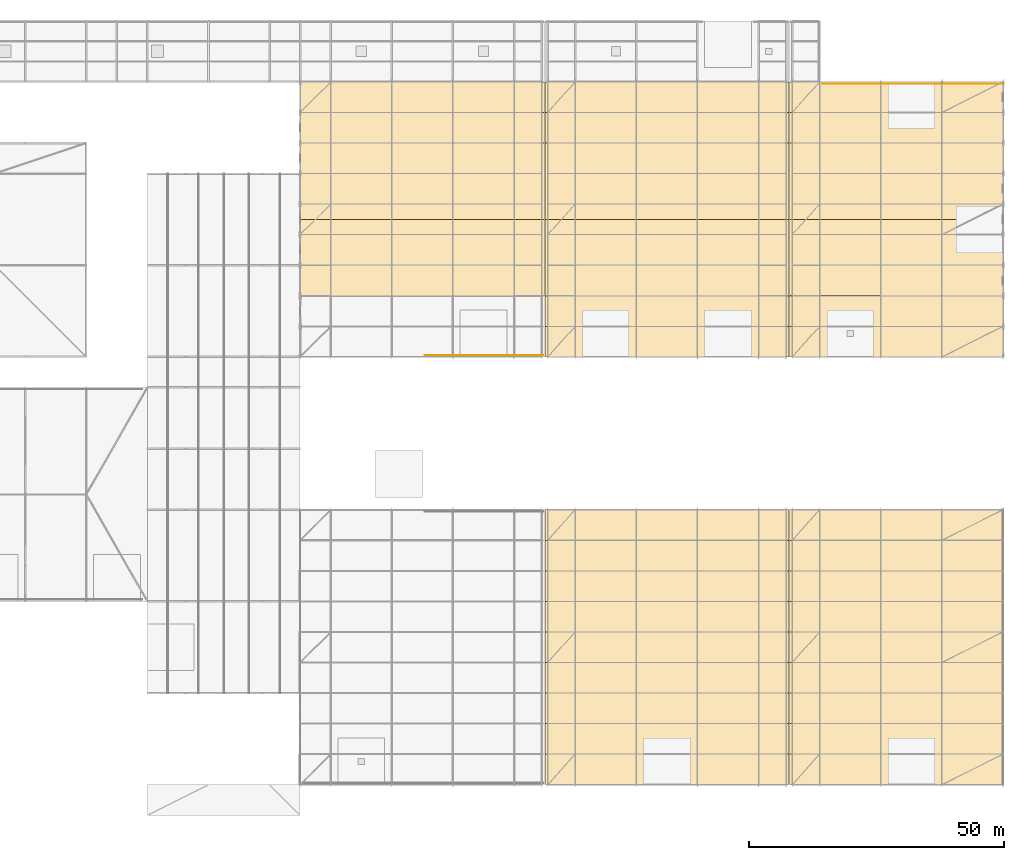
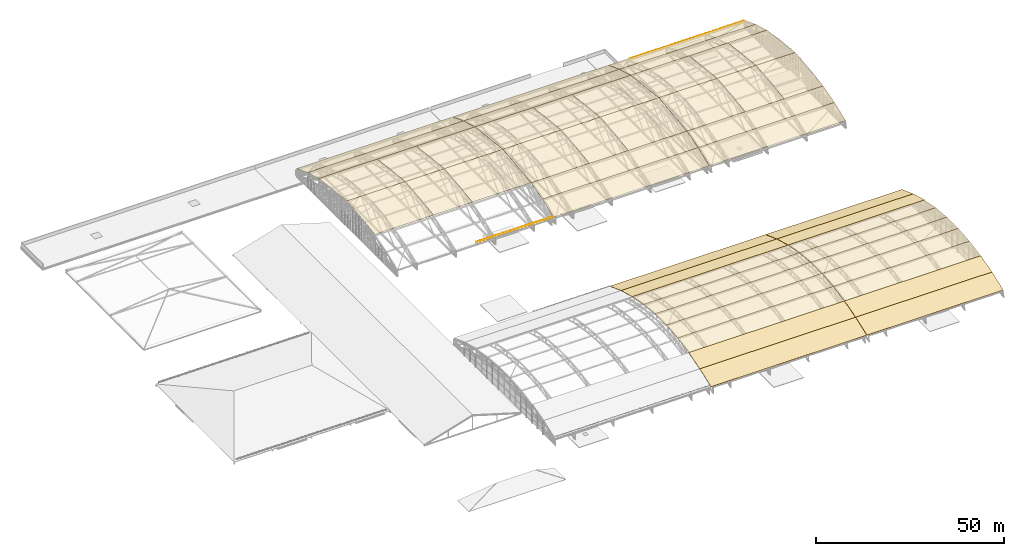
# One storey, part 204 of 204: 46 coverings, 2 railings.
"""IFC4 building model written with IfcOpenShell, lengths in metres."""

from ifc_helpers import new_model, si_unit, direction, frame, origin, origin_2d, place, context, subcontext, project, spatial, polyline, circle, outline, extrude, material, layer, layer_set, type_object, element, save


model = new_model("IFC4")

# Units and contexts
model_context = context("Model", 3, precision=1e-05, world=origin(), true_north=direction((0.0, 1.0)))
body_context = subcontext(model_context, "Body", "Model", "MODEL_VIEW")
ifc_project = project(units=[si_unit("LENGTHUNIT", "METRE"), si_unit("AREAUNIT", "SQUARE_METRE"), si_unit("VOLUMEUNIT", "CUBIC_METRE"), si_unit("PLANEANGLEUNIT", "RADIAN"), si_unit("MASSUNIT", "GRAM", prefix="KILO")], contexts=[model_context])

# Site, building, storey
site_placement = place(None, origin())
site = spatial("IfcSite", under=ifc_project, at=site_placement, CompositionType="ELEMENT")
building_placement = place(site_placement, origin())
building = spatial("IfcBuilding", under=site, at=building_placement, Name="Zilviju Railside Exhibition Hall", CompositionType="ELEMENT")
storey_placement = place(building_placement, frame((0.0, 0.0, 21.0)))
storey = spatial("IfcBuildingStorey", under=building, at=storey_placement, Name="RF", CompositionType="ELEMENT", Elevation=21.0)

# Coverings
ifc_material_1 = material(Name="Standing-seam patinated zinc-copper roofing", Category="steel")
ifc_layer = layer(ifc_material_1, 0.0400390625)
ifc_layer_set = layer_set([ifc_layer], Name="Standing-seam patinated zinc-copper roofing")
covering_type = type_object("IfcCoveringType", Name="COV-ROOF-ZINC", PredefinedType="ROOFING", material=ifc_layer_set)
covering_1_placement = place(storey_placement, frame((126.030029296875, 0.0, -5.635009765625), z_axis=(0.0, -0.345963648468, 0.938247917098), x_axis=(1.0, 0.0, 0.0)))
element("IfcCovering", 1, at=covering_1_placement, inside=storey, type_object=covering_type, Name="V1 Standing-Seam Roofing Facet B2.1", PredefinedType="ROOFING", context=body_context, shape_type="SweptSolid", body=[
    extrude(outline(polyline([(0.0, 0.0), (47.93994140625, 0.0), (47.93994140625, 6.394898289310824), (0.0, 6.394898289310824), (0.0, 0.0)])), origin(), (0.0, 0.0, -1.0), 0.0400390625),
])
covering_2_placement = place(storey_placement, frame((126.030029296875, 6.0, -3.422607421875), z_axis=(0.0, -0.266527144223, 0.963827412659), x_axis=(1.0, 0.0, 0.0)))
element("IfcCovering", 2, at=covering_2_placement, inside=storey, type_object=covering_type, Name="V1 Standing-Seam Roofing Facet B2.2", PredefinedType="ROOFING", context=body_context, shape_type="SweptSolid", body=[
    extrude(outline(polyline([(0.0, 0.0), (47.93994140625, 0.0), (47.93994140625, 6.225180899814285), (0.0, 6.225180899814285), (0.0, 0.0)])), origin(), (0.0, 0.0, -1.0), 0.0400390625),
])
covering_3_placement = place(storey_placement, frame((126.030029296875, 12.0, -1.763427734375), z_axis=(0.0, -0.18131112606, 0.98342578549), x_axis=(1.0, 0.0, 0.0)))
element("IfcCovering", 3, at=covering_3_placement, inside=storey, type_object=covering_type, Name="V1 Standing-Seam Roofing Facet B2.3", PredefinedType="ROOFING", context=body_context, shape_type="SweptSolid", body=[
    extrude(outline(polyline([(0.0, 0.0), (47.93994140625, 0.0), (47.93994140625, 6.101121293062254), (0.0, 6.101121293062254), (0.0, 0.0)])), origin(), (0.0, 0.0, -1.0), 0.0400390625),
])
covering_4_placement = place(storey_placement, frame((126.030029296875, 18.0, -0.6572265625), z_axis=(0.0, -0.091774143746, 0.99577984843), x_axis=(1.0, 0.0, 0.0)))
element("IfcCovering", 4, at=covering_4_placement, inside=storey, type_object=covering_type, Name="V1 Standing-Seam Roofing Facet B2.4", PredefinedType="ROOFING", context=body_context, shape_type="SweptSolid", body=[
    extrude(outline(polyline([(0.0, 0.0), (47.93994140625, 0.0), (47.93994140625, 6.025428220362669), (0.0, 6.025428220362669), (0.0, 0.0)])), origin(), (0.0, 0.0, -1.0), 0.0400390625),
])
covering_5_placement = place(storey_placement, frame((126.030029296875, 24.0, -0.104248046875), z_axis=(0.0, 0.0, 1.0), x_axis=(1.0, 0.0, 0.0)))
element("IfcCovering", 5, at=covering_5_placement, inside=storey, type_object=covering_type, Name="V1 Standing-Seam Roofing Facet B2.5", PredefinedType="ROOFING", context=body_context, shape_type="SweptSolid", body=[
    extrude(outline(polyline([(0.0, 0.0), (47.93994140625, 0.0), (47.93994140625, 6.0), (0.0, 6.0), (0.0, 0.0)])), origin(), (0.0, 0.0, -1.0), 0.0400390625),
])
covering_6_placement = place(storey_placement, frame((126.030029296875, 30.0, -0.104248046875), z_axis=(0.0, 0.091774143746, 0.99577984843), x_axis=(1.0, 0.0, 0.0)))
element("IfcCovering", 6, at=covering_6_placement, inside=storey, type_object=covering_type, Name="V1 Standing-Seam Roofing Facet B2.6", PredefinedType="ROOFING", context=body_context, shape_type="SweptSolid", body=[
    extrude(outline(polyline([(0.0, 0.0), (47.93994140625, 0.0), (47.93994140625, 6.025428220362669), (0.0, 6.025428220362669), (0.0, 0.0)])), origin(), (0.0, 0.0, -1.0), 0.0400390625),
])
covering_7_placement = place(storey_placement, frame((126.030029296875, 36.0, -0.6572265625), z_axis=(0.0, 0.18131112606, 0.98342578549), x_axis=(1.0, 0.0, 0.0)))
element("IfcCovering", 7, at=covering_7_placement, inside=storey, type_object=covering_type, Name="V1 Standing-Seam Roofing Facet B2.7", PredefinedType="ROOFING", context=body_context, shape_type="SweptSolid", body=[
    extrude(outline(polyline([(0.0, 0.0), (47.93994140625, 0.0), (47.93994140625, 6.101121293062254), (0.0, 6.101121293062254), (0.0, 0.0)])), origin(), (0.0, 0.0, -1.0), 0.0400390625),
])
covering_8_placement = place(storey_placement, frame((126.030029296875, 42.0, -1.763427734375), z_axis=(0.0, 0.266527144223, 0.963827412659), x_axis=(1.0, 0.0, 0.0)))
element("IfcCovering", 8, at=covering_8_placement, inside=storey, type_object=covering_type, Name="V1 Standing-Seam Roofing Facet B2.8", PredefinedType="ROOFING", context=body_context, shape_type="SweptSolid", body=[
    extrude(outline(polyline([(0.0, 0.0), (47.93994140625, 0.0), (47.93994140625, 6.225180899814285), (0.0, 6.225180899814285), (0.0, 0.0)])), origin(), (0.0, 0.0, -1.0), 0.0400390625),
])
covering_9_placement = place(storey_placement, frame((126.030029296875, 48.0, -3.422607421875), z_axis=(0.0, 0.345963648468, 0.938247917098), x_axis=(1.0, 0.0, 0.0)))
element("IfcCovering", 9, at=covering_9_placement, inside=storey, type_object=covering_type, Name="V1 Standing-Seam Roofing Facet B2.9", PredefinedType="ROOFING", context=body_context, shape_type="SweptSolid", body=[
    extrude(outline(polyline([(0.0, 0.0), (47.93994140625, 0.0), (47.93994140625, 6.394898289310824), (0.0, 6.394898289310824), (0.0, 0.0)])), origin(), (0.0, 0.0, -1.0), 0.0400390625),
])
covering_10_placement = place(storey_placement, frame((174.030029296875, 0.0, -5.635009765625), z_axis=(0.0, -0.345963648468, 0.938247917098), x_axis=(1.0, 0.0, 0.0)))
element("IfcCovering", 10, at=covering_10_placement, inside=storey, type_object=covering_type, Name="V1 Standing-Seam Roofing Facet B3.1", PredefinedType="ROOFING", context=body_context, shape_type="SweptSolid", body=[
    extrude(outline(polyline([(0.0, 0.0), (41.969970703125, 0.0), (41.969970703125, 6.394898289310824), (0.0, 6.394898289310824), (0.0, 0.0)])), origin(), (0.0, 0.0, -1.0), 0.0400390625),
])
covering_11_placement = place(storey_placement, frame((174.030029296875, 6.0, -3.422607421875), z_axis=(0.0, -0.266527144223, 0.963827412659), x_axis=(1.0, 0.0, 0.0)))
element("IfcCovering", 11, at=covering_11_placement, inside=storey, type_object=covering_type, Name="V1 Standing-Seam Roofing Facet B3.2", PredefinedType="ROOFING", context=body_context, shape_type="SweptSolid", body=[
    extrude(outline(polyline([(0.0, 0.0), (41.969970703125, 0.0), (41.969970703125, 6.225180899814285), (0.0, 6.225180899814285), (0.0, 0.0)])), origin(), (0.0, 0.0, -1.0), 0.0400390625),
])
covering_12_placement = place(storey_placement, frame((174.030029296875, 12.0, -1.763427734375), z_axis=(0.0, -0.18131112606, 0.98342578549), x_axis=(1.0, 0.0, 0.0)))
element("IfcCovering", 12, at=covering_12_placement, inside=storey, type_object=covering_type, Name="V1 Standing-Seam Roofing Facet B3.3", PredefinedType="ROOFING", context=body_context, shape_type="SweptSolid", body=[
    extrude(outline(polyline([(0.0, 0.0), (41.969970703125, 0.0), (41.969970703125, 6.101121293062254), (0.0, 6.101121293062254), (0.0, 0.0)])), origin(), (0.0, 0.0, -1.0), 0.0400390625),
])
covering_13_placement = place(storey_placement, frame((174.030029296875, 18.0, -0.6572265625), z_axis=(0.0, -0.091774143746, 0.99577984843), x_axis=(1.0, 0.0, 0.0)))
element("IfcCovering", 13, at=covering_13_placement, inside=storey, type_object=covering_type, Name="V1 Standing-Seam Roofing Facet B3.4", PredefinedType="ROOFING", context=body_context, shape_type="SweptSolid", body=[
    extrude(outline(polyline([(0.0, 0.0), (41.969970703125, 0.0), (41.969970703125, 6.025428220362668), (0.0, 6.025428220362668), (0.0, 0.0)])), origin(), (0.0, 0.0, -1.0), 0.0400390625),
])
covering_14_placement = place(storey_placement, frame((174.030029296875, 24.0, -0.104248046875), z_axis=(0.0, 0.0, 1.0), x_axis=(1.0, 0.0, 0.0)))
element("IfcCovering", 14, at=covering_14_placement, inside=storey, type_object=covering_type, Name="V1 Standing-Seam Roofing Facet B3.5", PredefinedType="ROOFING", context=body_context, shape_type="SweptSolid", body=[
    extrude(outline(polyline([(0.0, 0.0), (41.969970703125, 0.0), (41.969970703125, 6.0), (0.0, 6.0), (0.0, 0.0)])), origin(), (0.0, 0.0, -1.0), 0.0400390625),
])
covering_15_placement = place(storey_placement, frame((174.030029296875, 30.0, -0.104248046875), z_axis=(0.0, 0.091774143746, 0.99577984843), x_axis=(1.0, 0.0, 0.0)))
element("IfcCovering", 15, at=covering_15_placement, inside=storey, type_object=covering_type, Name="V1 Standing-Seam Roofing Facet B3.6", PredefinedType="ROOFING", context=body_context, shape_type="SweptSolid", body=[
    extrude(outline(polyline([(0.0, 0.0), (41.969970703125, 0.0), (41.969970703125, 6.025428220362668), (0.0, 6.025428220362668), (0.0, 0.0)])), origin(), (0.0, 0.0, -1.0), 0.0400390625),
])
covering_16_placement = place(storey_placement, frame((174.030029296875, 36.0, -0.6572265625), z_axis=(0.0, 0.18131112606, 0.98342578549), x_axis=(1.0, 0.0, 0.0)))
element("IfcCovering", 16, at=covering_16_placement, inside=storey, type_object=covering_type, Name="V1 Standing-Seam Roofing Facet B3.7", PredefinedType="ROOFING", context=body_context, shape_type="SweptSolid", body=[
    extrude(outline(polyline([(0.0, 0.0), (41.969970703125, 0.0), (41.969970703125, 6.101121293062254), (0.0, 6.101121293062254), (0.0, 0.0)])), origin(), (0.0, 0.0, -1.0), 0.0400390625),
])
covering_17_placement = place(storey_placement, frame((174.030029296875, 42.0, -1.763427734375), z_axis=(0.0, 0.266527144223, 0.963827412659), x_axis=(1.0, 0.0, 0.0)))
element("IfcCovering", 17, at=covering_17_placement, inside=storey, type_object=covering_type, Name="V1 Standing-Seam Roofing Facet B3.8", PredefinedType="ROOFING", context=body_context, shape_type="SweptSolid", body=[
    extrude(outline(polyline([(0.0, 0.0), (41.969970703125, 0.0), (41.969970703125, 6.225180899814285), (0.0, 6.225180899814285), (0.0, 0.0)])), origin(), (0.0, 0.0, -1.0), 0.0400390625),
])
covering_18_placement = place(storey_placement, frame((174.030029296875, 48.0, -3.422607421875), z_axis=(0.0, 0.345963648468, 0.938247917098), x_axis=(1.0, 0.0, 0.0)))
element("IfcCovering", 18, at=covering_18_placement, inside=storey, type_object=covering_type, Name="V1 Standing-Seam Roofing Facet B3.9", PredefinedType="ROOFING", context=body_context, shape_type="SweptSolid", body=[
    extrude(outline(polyline([(0.0, 0.0), (41.969970703125, 0.0), (41.969970703125, 6.394898289310824), (0.0, 6.394898289310824), (0.0, 0.0)])), origin(), (0.0, 0.0, -1.0), 0.0400390625),
])
covering_19_placement = place(storey_placement, frame((78.0, 96.0, 2.5849609375), z_axis=(0.0, -0.118495171491, 0.992954628537), x_axis=(1.0, 0.0, 0.0)))
element("IfcCovering", 19, at=covering_19_placement, inside=storey, type_object=covering_type, Name="V2 Standing-Seam Roofing Facet B1.3", PredefinedType="ROOFING", context=body_context, shape_type="SweptSolid", body=[
    extrude(outline(polyline([(0.0, 0.0), (18.0, 0.0), (18.0, 15.106430413743542), (0.0, 15.106430413743542), (0.0, 0.0)])), origin(), (0.0, 0.0, -1.0), 0.0400390625),
])
covering_20_placement = place(storey_placement, frame((96.0, 96.0, 2.5849609375), z_axis=(0.0, -0.118495171491, 0.992954628537), x_axis=(1.0, 0.0, 0.0)))
element("IfcCovering", 20, at=covering_20_placement, inside=storey, type_object=covering_type, Name="V2 Standing-Seam Roofing Facet B1.4", PredefinedType="ROOFING", context=body_context, shape_type="SweptSolid", body=[
    extrude(outline(polyline([(0.0, 0.0), (12.0, 0.0), (12.0, 15.106430413743542), (0.0, 15.106430413743542), (0.0, 0.0)])), origin(), (0.0, 0.0, -1.0), 0.0400390625),
])
covering_21_placement = place(storey_placement, frame((108.0, 96.0, 2.5849609375), z_axis=(0.0, -0.118495171491, 0.992954628537), x_axis=(1.0, 0.0, 0.0)))
element("IfcCovering", 21, at=covering_21_placement, inside=storey, type_object=covering_type, Name="V2 Standing-Seam Roofing Facet B1.5", PredefinedType="ROOFING", context=body_context, shape_type="SweptSolid", body=[
    extrude(outline(polyline([(0.0, 0.0), (17.969970703125, 0.0), (17.969970703125, 15.10643041374354), (0.0, 15.10643041374354), (0.0, 0.0)])), origin(), (0.0, 0.0, -1.0), 0.0400390625),
])
covering_22_placement = place(storey_placement, frame((78.0, 111.0, 4.375), z_axis=(0.0, 0.118495171491, 0.992954628537), x_axis=(1.0, 0.0, 0.0)))
element("IfcCovering", 22, at=covering_22_placement, inside=storey, type_object=covering_type, Name="V2 Standing-Seam Roofing Facet B1.6", PredefinedType="ROOFING", context=body_context, shape_type="SweptSolid", body=[
    extrude(outline(polyline([(0.0, 0.0), (18.0, 0.0), (18.0, 15.106430413743542), (0.0, 15.106430413743542), (0.0, 0.0)])), origin(), (0.0, 0.0, -1.0), 0.0400390625),
])
covering_23_placement = place(storey_placement, frame((96.0, 111.0, 4.375), z_axis=(0.0, 0.118495171491, 0.992954628537), x_axis=(1.0, 0.0, 0.0)))
element("IfcCovering", 23, at=covering_23_placement, inside=storey, type_object=covering_type, Name="V2 Standing-Seam Roofing Facet B1.7", PredefinedType="ROOFING", context=body_context, shape_type="SweptSolid", body=[
    extrude(outline(polyline([(0.0, 0.0), (12.0, 0.0), (12.0, 15.106430413743542), (0.0, 15.106430413743542), (0.0, 0.0)])), origin(), (0.0, 0.0, -1.0), 0.0400390625),
])
covering_24_placement = place(storey_placement, frame((108.0, 111.0, 4.375), z_axis=(0.0, 0.118495171491, 0.992954628537), x_axis=(1.0, 0.0, 0.0)))
element("IfcCovering", 24, at=covering_24_placement, inside=storey, type_object=covering_type, Name="V2 Standing-Seam Roofing Facet B1.8", PredefinedType="ROOFING", context=body_context, shape_type="SweptSolid", body=[
    extrude(outline(polyline([(0.0, 0.0), (17.969970703125, 0.0), (17.969970703125, 15.10643041374354), (0.0, 15.10643041374354), (0.0, 0.0)])), origin(), (0.0, 0.0, -1.0), 0.0400390625),
])
covering_25_placement = place(storey_placement, frame((78.0, 126.0, 2.5849609375), z_axis=(0.0, 0.275346207512, 0.961345133658), x_axis=(1.0, 0.0, 0.0)))
element("IfcCovering", 25, at=covering_25_placement, inside=storey, type_object=covering_type, Name="V2 Standing-Seam Roofing Facet B1.9", PredefinedType="ROOFING", context=body_context, shape_type="SweptSolid", body=[
    extrude(outline(polyline([(0.0, 0.0), (47.969970703125, 0.0), (47.969970703125, 6.241254872916681), (0.0, 6.241254872916681), (0.0, 0.0)])), origin(), (0.0, 0.0, -1.0), 0.0400390625),
])
covering_26_placement = place(storey_placement, frame((78.0, 132.0, 0.866455078125), z_axis=(0.0, 0.35678239229, 0.934187521086), x_axis=(1.0, 0.0, 0.0)))
element("IfcCovering", 26, at=covering_26_placement, inside=storey, type_object=covering_type, Name="V2 Standing-Seam Roofing Facet B1.10", PredefinedType="ROOFING", context=body_context, shape_type="SweptSolid", body=[
    extrude(outline(polyline([(0.0, 0.0), (47.969970703125, 0.0), (47.969970703125, 6.422693372126603), (0.0, 6.422693372126603), (0.0, 0.0)])), origin(), (0.0, 0.0, -1.0), 0.0400390625),
])
covering_27_placement = place(storey_placement, frame((126.030029296875, 84.0, -1.425048828125), z_axis=(0.0, -0.35678239229, 0.934187521086), x_axis=(1.0, 0.0, 0.0)))
element("IfcCovering", 27, at=covering_27_placement, inside=storey, type_object=covering_type, Name="V2 Standing-Seam Roofing Facet B2.1", PredefinedType="ROOFING", context=body_context, shape_type="SweptSolid", body=[
    extrude(outline(polyline([(0.0, 0.0), (47.93994140625, 0.0), (47.93994140625, 6.422693372126604), (0.0, 6.422693372126604), (0.0, 0.0)])), origin(), (0.0, 0.0, -1.0), 0.0400390625),
])
covering_28_placement = place(storey_placement, frame((126.030029296875, 90.0, 0.866455078125), z_axis=(0.0, -0.275346207512, 0.961345133658), x_axis=(1.0, 0.0, 0.0)))
element("IfcCovering", 28, at=covering_28_placement, inside=storey, type_object=covering_type, Name="V2 Standing-Seam Roofing Facet B2.2", PredefinedType="ROOFING", context=body_context, shape_type="SweptSolid", body=[
    extrude(outline(polyline([(0.0, 0.0), (47.93994140625, 0.0), (47.93994140625, 6.241254872916681), (0.0, 6.241254872916681), (0.0, 0.0)])), origin(), (0.0, 0.0, -1.0), 0.0400390625),
])
covering_29_placement = place(storey_placement, frame((126.030029296875, 96.0, 2.5849609375), z_axis=(0.0, -0.118495171491, 0.992954628537), x_axis=(1.0, 0.0, 0.0)))
element("IfcCovering", 29, at=covering_29_placement, inside=storey, type_object=covering_type, Name="V2 Standing-Seam Roofing Facet B2.3", PredefinedType="ROOFING", context=body_context, shape_type="SweptSolid", body=[
    extrude(outline(polyline([(0.0, 0.0), (17.969970703125, 0.0), (17.969970703125, 15.10643041374354), (0.0, 15.10643041374354), (0.0, 0.0)])), origin(), (0.0, 0.0, -1.0), 0.0400390625),
])
covering_30_placement = place(storey_placement, frame((144.0, 96.0, 2.5849609375), z_axis=(0.0, -0.118495171491, 0.992954628537), x_axis=(1.0, 0.0, 0.0)))
element("IfcCovering", 30, at=covering_30_placement, inside=storey, type_object=covering_type, Name="V2 Standing-Seam Roofing Facet B2.4", PredefinedType="ROOFING", context=body_context, shape_type="SweptSolid", body=[
    extrude(outline(polyline([(0.0, 0.0), (12.0, 0.0), (12.0, 15.106430413743542), (0.0, 15.106430413743542), (0.0, 0.0)])), origin(), (0.0, 0.0, -1.0), 0.0400390625),
])
for number, where, z_axis, x_axis, name in (
    (31, (156.0, 96.0, 2.5849609375), (0.0, -0.118495171491, 0.992954628537), (1.0, 0.0, 0.0), "V2 Standing-Seam Roofing Facet B2.5"),
    (32, (126.030029296875, 111.0, 4.375), (0.0, 0.118495171491, 0.992954628537), (1.0, 0.0, 0.0), "V2 Standing-Seam Roofing Facet B2.6"),
):
    element("IfcCovering", number, at=place(storey_placement, frame(where, z_axis=z_axis, x_axis=x_axis)), inside=storey, type_object=covering_type, Name=name, PredefinedType="ROOFING", context=body_context, shape_type="SweptSolid", body=[
        extrude(outline(polyline([(0.0, 0.0), (17.969970703125, 0.0), (17.969970703125, 15.10643041374354), (0.0, 15.10643041374354), (0.0, 0.0)])), origin(), (0.0, 0.0, -1.0), 0.0400390625),
    ])
covering_31_placement = place(storey_placement, frame((144.0, 111.0, 4.375), z_axis=(0.0, 0.118495171491, 0.992954628537), x_axis=(1.0, 0.0, 0.0)))
element("IfcCovering", 33, at=covering_31_placement, inside=storey, type_object=covering_type, Name="V2 Standing-Seam Roofing Facet B2.7", PredefinedType="ROOFING", context=body_context, shape_type="SweptSolid", body=[
    extrude(outline(polyline([(0.0, 0.0), (12.0, 0.0), (12.0, 15.106430413743542), (0.0, 15.106430413743542), (0.0, 0.0)])), origin(), (0.0, 0.0, -1.0), 0.0400390625),
])
covering_32_placement = place(storey_placement, frame((156.0, 111.0, 4.375), z_axis=(0.0, 0.118495171491, 0.992954628537), x_axis=(1.0, 0.0, 0.0)))
element("IfcCovering", 34, at=covering_32_placement, inside=storey, type_object=covering_type, Name="V2 Standing-Seam Roofing Facet B2.8", PredefinedType="ROOFING", context=body_context, shape_type="SweptSolid", body=[
    extrude(outline(polyline([(0.0, 0.0), (17.969970703125, 0.0), (17.969970703125, 15.10643041374354), (0.0, 15.10643041374354), (0.0, 0.0)])), origin(), (0.0, 0.0, -1.0), 0.0400390625),
])
covering_33_placement = place(storey_placement, frame((126.030029296875, 126.0, 2.5849609375), z_axis=(0.0, 0.275346207512, 0.961345133658), x_axis=(1.0, 0.0, 0.0)))
element("IfcCovering", 35, at=covering_33_placement, inside=storey, type_object=covering_type, Name="V2 Standing-Seam Roofing Facet B2.9", PredefinedType="ROOFING", context=body_context, shape_type="SweptSolid", body=[
    extrude(outline(polyline([(0.0, 0.0), (47.93994140625, 0.0), (47.93994140625, 6.241254872916681), (0.0, 6.241254872916681), (0.0, 0.0)])), origin(), (0.0, 0.0, -1.0), 0.0400390625),
])
covering_34_placement = place(storey_placement, frame((126.030029296875, 132.0, 0.866455078125), z_axis=(0.0, 0.35678239229, 0.934187521086), x_axis=(1.0, 0.0, 0.0)))
element("IfcCovering", 36, at=covering_34_placement, inside=storey, type_object=covering_type, Name="V2 Standing-Seam Roofing Facet B2.10", PredefinedType="ROOFING", context=body_context, shape_type="SweptSolid", body=[
    extrude(outline(polyline([(0.0, 0.0), (47.93994140625, 0.0), (47.93994140625, 6.422693372126604), (0.0, 6.422693372126604), (0.0, 0.0)])), origin(), (0.0, 0.0, -1.0), 0.0400390625),
])
covering_35_placement = place(storey_placement, frame((174.030029296875, 84.0, -1.425048828125), z_axis=(0.0, -0.35678239229, 0.934187521086), x_axis=(1.0, 0.0, 0.0)))
element("IfcCovering", 37, at=covering_35_placement, inside=storey, type_object=covering_type, Name="V2 Standing-Seam Roofing Facet B3.1", PredefinedType="ROOFING", context=body_context, shape_type="SweptSolid", body=[
    extrude(outline(polyline([(0.0, 0.0), (41.969970703125, 0.0), (41.969970703125, 6.422693372126604), (0.0, 6.422693372126604), (0.0, 0.0)])), origin(), (0.0, 0.0, -1.0), 0.0400390625),
])
covering_36_placement = place(storey_placement, frame((174.030029296875, 90.0, 0.866455078125), z_axis=(0.0, -0.275346207512, 0.961345133658), x_axis=(1.0, 0.0, 0.0)))
element("IfcCovering", 38, at=covering_36_placement, inside=storey, type_object=covering_type, Name="V2 Standing-Seam Roofing Facet B3.2", PredefinedType="ROOFING", context=body_context, shape_type="SweptSolid", body=[
    extrude(outline(polyline([(0.0, 0.0), (41.969970703125, 0.0), (41.969970703125, 6.241254872916681), (0.0, 6.241254872916681), (0.0, 0.0)])), origin(), (0.0, 0.0, -1.0), 0.0400390625),
])
covering_37_placement = place(storey_placement, frame((174.030029296875, 96.0, 2.5849609375), z_axis=(0.0, -0.118495171491, 0.992954628537), x_axis=(1.0, 0.0, 0.0)))
element("IfcCovering", 39, at=covering_37_placement, inside=storey, type_object=covering_type, Name="V2 Standing-Seam Roofing Facet B3.3", PredefinedType="ROOFING", context=body_context, shape_type="SweptSolid", body=[
    extrude(outline(polyline([(0.0, 0.0), (17.969970703125, 0.0), (17.969970703125, 15.10643041374354), (0.0, 15.10643041374354), (0.0, 0.0)])), origin(), (0.0, 0.0, -1.0), 0.0400390625),
])
for number, where, z_axis, x_axis, name in (
    (40, (192.0, 96.0, 2.5849609375), (0.0, -0.118495171491, 0.992954628537), (1.0, 0.0, 0.0), "V2 Standing-Seam Roofing Facet B3.4"),
    (41, (204.0, 96.0, 2.5849609375), (0.0, -0.118495171491, 0.992954628537), (1.0, 0.0, 0.0), "V2 Standing-Seam Roofing Facet B3.5"),
):
    element("IfcCovering", number, at=place(storey_placement, frame(where, z_axis=z_axis, x_axis=x_axis)), inside=storey, type_object=covering_type, Name=name, PredefinedType="ROOFING", context=body_context, shape_type="SweptSolid", body=[
        extrude(outline(polyline([(0.0, 0.0), (12.0, 0.0), (12.0, 15.106430413743542), (0.0, 15.106430413743542), (0.0, 0.0)])), origin(), (0.0, 0.0, -1.0), 0.0400390625),
    ])
covering_38_placement = place(storey_placement, frame((174.030029296875, 111.0, 4.375), z_axis=(0.0, 0.118495171491, 0.992954628537), x_axis=(1.0, 0.0, 0.0)))
element("IfcCovering", 42, at=covering_38_placement, inside=storey, type_object=covering_type, Name="V2 Standing-Seam Roofing Facet B3.6", PredefinedType="ROOFING", context=body_context, shape_type="SweptSolid", body=[
    extrude(outline(polyline([(0.0, 0.0), (17.969970703125, 0.0), (17.969970703125, 15.10643041374354), (0.0, 15.10643041374354), (0.0, 0.0)])), origin(), (0.0, 0.0, -1.0), 0.0400390625),
])
for number, where, z_axis, x_axis, name in (
    (43, (192.0, 111.0, 4.375), (0.0, 0.118495171491, 0.992954628537), (1.0, 0.0, 0.0), "V2 Standing-Seam Roofing Facet B3.7"),
    (44, (204.0, 111.0, 4.375), (0.0, 0.118495171491, 0.992954628537), (1.0, 0.0, 0.0), "V2 Standing-Seam Roofing Facet B3.8"),
):
    element("IfcCovering", number, at=place(storey_placement, frame(where, z_axis=z_axis, x_axis=x_axis)), inside=storey, type_object=covering_type, Name=name, PredefinedType="ROOFING", context=body_context, shape_type="SweptSolid", body=[
        extrude(outline(polyline([(0.0, 0.0), (12.0, 0.0), (12.0, 15.106430413743542), (0.0, 15.106430413743542), (0.0, 0.0)])), origin(), (0.0, 0.0, -1.0), 0.0400390625),
    ])
covering_39_placement = place(storey_placement, frame((174.030029296875, 126.0, 2.5849609375), z_axis=(0.0, 0.275346207512, 0.961345133658), x_axis=(1.0, 0.0, 0.0)))
element("IfcCovering", 45, at=covering_39_placement, inside=storey, type_object=covering_type, Name="V2 Standing-Seam Roofing Facet B3.9", PredefinedType="ROOFING", context=body_context, shape_type="SweptSolid", body=[
    extrude(outline(polyline([(0.0, 0.0), (41.969970703125, 0.0), (41.969970703125, 6.241254872916681), (0.0, 6.241254872916681), (0.0, 0.0)])), origin(), (0.0, 0.0, -1.0), 0.0400390625),
])
covering_40_placement = place(storey_placement, frame((174.030029296875, 132.0, 0.866455078125), z_axis=(0.0, 0.35678239229, 0.934187521086), x_axis=(1.0, 0.0, 0.0)))
element("IfcCovering", 46, at=covering_40_placement, inside=storey, type_object=covering_type, Name="V2 Standing-Seam Roofing Facet B3.10", PredefinedType="ROOFING", context=body_context, shape_type="SweptSolid", body=[
    extrude(outline(polyline([(0.0, 0.0), (41.969970703125, 0.0), (41.969970703125, 6.422693372126604), (0.0, 6.422693372126604), (0.0, 0.0)])), origin(), (0.0, 0.0, -1.0), 0.0400390625),
])

# Railings
ifc_material_2 = material(Name="Galvanized steel twin-tube roof snow-retention guard", Category="steel")
railing_type = type_object("IfcRailingType", Name="RL-SNOW-350", PredefinedType="GUARDRAIL", material=ifc_material_2)
railing_1_placement = place(storey_placement, frame((102.5, 84.35009765625, -1.699951171875)))
element("IfcRailing", 47, at=railing_1_placement, inside=storey, type_object=railing_type, Name="Roof Eave Snow-Retention Guard SN-V2-S", PredefinedType="GUARDRAIL", context=body_context, shape_type="SweptSolid", body=[
    extrude(circle(Radius=0.02392578125, at=origin_2d()), frame((0.021728515625, 0.0, 0.326171875), z_axis=(1.0, 0.0, 0.0), x_axis=(0.0, 1.0, 0.0)), (0.0, 0.0, 1.0), 23.25634765625),
    extrude(circle(Radius=0.02099609375, at=origin_2d()), origin(), (0.0, 0.0, 1.0), 0.35009765625),
    extrude(circle(Radius=0.02099609375, at=origin_2d()), frame((1.1650390625, 0.0, 0.0)), (0.0, 0.0, 1.0), 0.35009765625),
    extrude(circle(Radius=0.02099609375, at=origin_2d()), frame((2.330078125, 0.0, 0.0)), (0.0, 0.0, 1.0), 0.35009765625),
    extrude(circle(Radius=0.02099609375, at=origin_2d()), frame((3.4951171875, 0.0, 0.0)), (0.0, 0.0, 1.0), 0.35009765625),
    extrude(circle(Radius=0.02099609375, at=origin_2d()), frame((4.659912109375, 0.0, 0.0)), (0.0, 0.0, 1.0), 0.35009765625),
    extrude(circle(Radius=0.02099609375, at=origin_2d()), frame((5.824951171875, 0.0, 0.0)), (0.0, 0.0, 1.0), 0.35009765625),
    extrude(circle(Radius=0.02099609375, at=origin_2d()), frame((6.989990234375, 0.0, 0.0)), (0.0, 0.0, 1.0), 0.35009765625),
    extrude(circle(Radius=0.02099609375, at=origin_2d()), frame((8.155029296875, 0.0, 0.0)), (0.0, 0.0, 1.0), 0.35009765625),
    extrude(circle(Radius=0.02099609375, at=origin_2d()), frame((9.320068359375, 0.0, 0.0)), (0.0, 0.0, 1.0), 0.35009765625),
    extrude(circle(Radius=0.02099609375, at=origin_2d()), frame((10.485107421875, 0.0, 0.0)), (0.0, 0.0, 1.0), 0.35009765625),
    extrude(circle(Radius=0.02099609375, at=origin_2d()), frame((11.64990234375, 0.0, 0.0)), (0.0, 0.0, 1.0), 0.35009765625),
    extrude(circle(Radius=0.02099609375, at=origin_2d()), frame((12.81494140625, 0.0, 0.0)), (0.0, 0.0, 1.0), 0.35009765625),
    extrude(circle(Radius=0.02099609375, at=origin_2d()), frame((13.97998046875, 0.0, 0.0)), (0.0, 0.0, 1.0), 0.35009765625),
    extrude(circle(Radius=0.02099609375, at=origin_2d()), frame((15.14501953125, 0.0, 0.0)), (0.0, 0.0, 1.0), 0.35009765625),
    extrude(circle(Radius=0.02099609375, at=origin_2d()), frame((16.31005859375, 0.0, 0.0)), (0.0, 0.0, 1.0), 0.35009765625),
    extrude(circle(Radius=0.02099609375, at=origin_2d()), frame((17.47509765625, 0.0, 0.0)), (0.0, 0.0, 1.0), 0.35009765625),
    extrude(circle(Radius=0.02099609375, at=origin_2d()), frame((18.64013671875, 0.0, 0.0)), (0.0, 0.0, 1.0), 0.35009765625),
    extrude(circle(Radius=0.02099609375, at=origin_2d()), frame((19.804931640625, 0.0, 0.0)), (0.0, 0.0, 1.0), 0.35009765625),
    extrude(circle(Radius=0.02099609375, at=origin_2d()), frame((20.969970703125, 0.0, 0.0)), (0.0, 0.0, 1.0), 0.35009765625),
    extrude(circle(Radius=0.02099609375, at=origin_2d()), frame((22.135009765625, 0.0, 0.0)), (0.0, 0.0, 1.0), 0.35009765625),
    extrude(circle(Radius=0.02099609375, at=origin_2d()), frame((23.300048828125, 0.0, 0.0)), (0.0, 0.0, 1.0), 0.35009765625),
])
railing_2_placement = place(storey_placement, frame((180.5, 137.64990234375, -1.699951171875)))
element("IfcRailing", 48, at=railing_2_placement, inside=storey, type_object=railing_type, Name="Roof Eave Snow-Retention Guard SN-V2-N", PredefinedType="GUARDRAIL", context=body_context, shape_type="SweptSolid", body=[
    extrude(circle(Radius=0.02392578125, at=origin_2d()), frame((0.021728515625, 0.0, 0.326171875), z_axis=(1.0, 0.0, 0.0), x_axis=(0.0, 1.0, 0.0)), (0.0, 0.0, 1.0), 34.956298828125),
    extrude(circle(Radius=0.02099609375, at=origin_2d()), origin(), (0.0, 0.0, 1.0), 0.35009765625),
    extrude(circle(Radius=0.02099609375, at=origin_2d()), frame((1.166748046875, 0.0, 0.0)), (0.0, 0.0, 1.0), 0.35009765625),
    extrude(circle(Radius=0.02099609375, at=origin_2d()), frame((2.333251953125, 0.0, 0.0)), (0.0, 0.0, 1.0), 0.35009765625),
    extrude(circle(Radius=0.02099609375, at=origin_2d()), frame((3.5, 0.0, 0.0)), (0.0, 0.0, 1.0), 0.35009765625),
    extrude(circle(Radius=0.02099609375, at=origin_2d()), frame((4.666748046875, 0.0, 0.0)), (0.0, 0.0, 1.0), 0.35009765625),
    extrude(circle(Radius=0.02099609375, at=origin_2d()), frame((5.833251953125, 0.0, 0.0)), (0.0, 0.0, 1.0), 0.35009765625),
    extrude(circle(Radius=0.02099609375, at=origin_2d()), frame((7.0, 0.0, 0.0)), (0.0, 0.0, 1.0), 0.35009765625),
    extrude(circle(Radius=0.02099609375, at=origin_2d()), frame((8.166748046875, 0.0, 0.0)), (0.0, 0.0, 1.0), 0.35009765625),
    extrude(circle(Radius=0.02099609375, at=origin_2d()), frame((9.333251953125, 0.0, 0.0)), (0.0, 0.0, 1.0), 0.35009765625),
    extrude(circle(Radius=0.02099609375, at=origin_2d()), frame((10.5, 0.0, 0.0)), (0.0, 0.0, 1.0), 0.35009765625),
    extrude(circle(Radius=0.02099609375, at=origin_2d()), frame((11.666748046875, 0.0, 0.0)), (0.0, 0.0, 1.0), 0.35009765625),
    extrude(circle(Radius=0.02099609375, at=origin_2d()), frame((12.833251953125, 0.0, 0.0)), (0.0, 0.0, 1.0), 0.35009765625),
    extrude(circle(Radius=0.02099609375, at=origin_2d()), frame((14.0, 0.0, 0.0)), (0.0, 0.0, 1.0), 0.35009765625),
    extrude(circle(Radius=0.02099609375, at=origin_2d()), frame((15.166748046875, 0.0, 0.0)), (0.0, 0.0, 1.0), 0.35009765625),
    extrude(circle(Radius=0.02099609375, at=origin_2d()), frame((16.333251953125, 0.0, 0.0)), (0.0, 0.0, 1.0), 0.35009765625),
    extrude(circle(Radius=0.02099609375, at=origin_2d()), frame((17.5, 0.0, 0.0)), (0.0, 0.0, 1.0), 0.35009765625),
    extrude(circle(Radius=0.02099609375, at=origin_2d()), frame((18.666748046875, 0.0, 0.0)), (0.0, 0.0, 1.0), 0.35009765625),
    extrude(circle(Radius=0.02099609375, at=origin_2d()), frame((19.833251953125, 0.0, 0.0)), (0.0, 0.0, 1.0), 0.35009765625),
    extrude(circle(Radius=0.02099609375, at=origin_2d()), frame((21.0, 0.0, 0.0)), (0.0, 0.0, 1.0), 0.35009765625),
    extrude(circle(Radius=0.02099609375, at=origin_2d()), frame((22.166748046875, 0.0, 0.0)), (0.0, 0.0, 1.0), 0.35009765625),
    extrude(circle(Radius=0.02099609375, at=origin_2d()), frame((23.333251953125, 0.0, 0.0)), (0.0, 0.0, 1.0), 0.35009765625),
    extrude(circle(Radius=0.02099609375, at=origin_2d()), frame((24.5, 0.0, 0.0)), (0.0, 0.0, 1.0), 0.35009765625),
    extrude(circle(Radius=0.02099609375, at=origin_2d()), frame((25.666748046875, 0.0, 0.0)), (0.0, 0.0, 1.0), 0.35009765625),
    extrude(circle(Radius=0.02099609375, at=origin_2d()), frame((26.833251953125, 0.0, 0.0)), (0.0, 0.0, 1.0), 0.35009765625),
    extrude(circle(Radius=0.02099609375, at=origin_2d()), frame((28.0, 0.0, 0.0)), (0.0, 0.0, 1.0), 0.35009765625),
    extrude(circle(Radius=0.02099609375, at=origin_2d()), frame((29.166748046875, 0.0, 0.0)), (0.0, 0.0, 1.0), 0.35009765625),
    extrude(circle(Radius=0.02099609375, at=origin_2d()), frame((30.333251953125, 0.0, 0.0)), (0.0, 0.0, 1.0), 0.35009765625),
    extrude(circle(Radius=0.02099609375, at=origin_2d()), frame((31.5, 0.0, 0.0)), (0.0, 0.0, 1.0), 0.35009765625),
    extrude(circle(Radius=0.02099609375, at=origin_2d()), frame((32.666748046875, 0.0, 0.0)), (0.0, 0.0, 1.0), 0.35009765625),
    extrude(circle(Radius=0.02099609375, at=origin_2d()), frame((33.833251953125, 0.0, 0.0)), (0.0, 0.0, 1.0), 0.35009765625),
    extrude(circle(Radius=0.02099609375, at=origin_2d()), frame((35.0, 0.0, 0.0)), (0.0, 0.0, 1.0), 0.35009765625),
])

save(model, "model.ifc")
